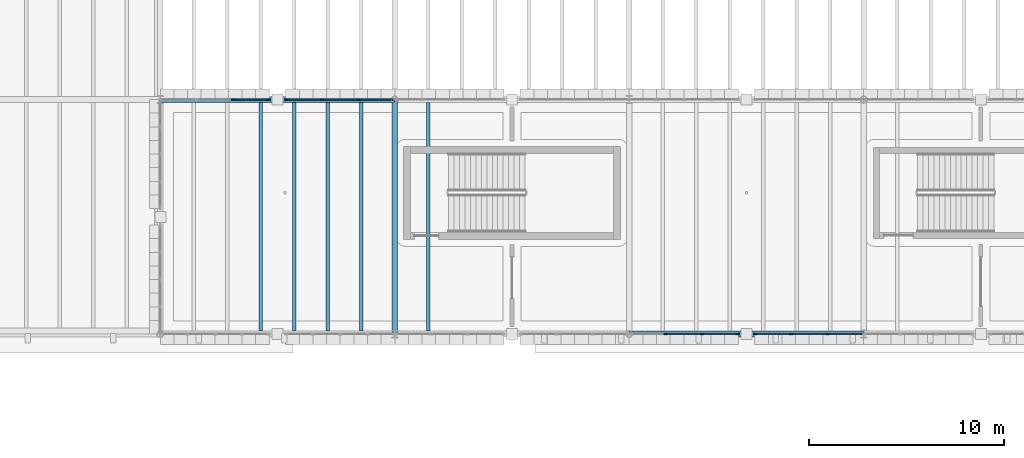
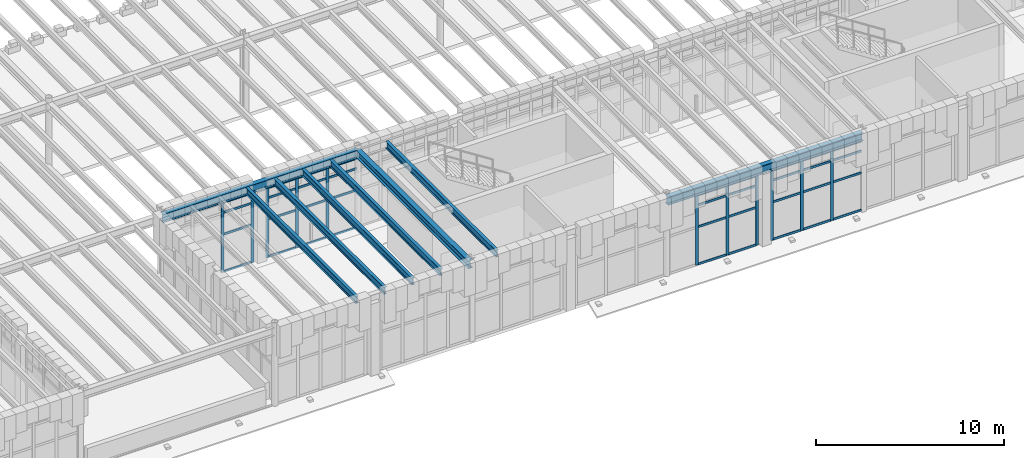
# One storey, part 30 of 100: 47 members, 8 beams, 4 elements without a shape of their own.
"""IFC4 building model written with IfcOpenShell, lengths in metres."""

from ifc_helpers import new_model, si_unit, direction, frame, origin, origin_2d, place, context, subcontext, project, spatial, rectangle, i_section, extrude, material, layer, layer_set, material_profile, profile_set, type_object, element, aggregate, save


model = new_model("IFC4")

# Units and contexts
model_context = context("Model", 3, precision=1e-05, world=origin(), true_north=direction((0.0, 1.0)))
body_context = subcontext(model_context, "Body", "Model", "MODEL_VIEW")
ifc_project = project(units=[si_unit("LENGTHUNIT", "METRE"), si_unit("AREAUNIT", "SQUARE_METRE"), si_unit("VOLUMEUNIT", "CUBIC_METRE"), si_unit("PLANEANGLEUNIT", "RADIAN"), si_unit("MASSUNIT", "GRAM", prefix="KILO")], contexts=[model_context])

# Site, building, storey
site_placement = place(None, origin())
site = spatial("IfcSite", under=ifc_project, at=site_placement, CompositionType="ELEMENT")
building_placement = place(site_placement, origin())
building = spatial("IfcBuilding", under=site, at=building_placement, Name="Zlatogorsky Bluff Art Gallery", CompositionType="ELEMENT")
storey_placement = place(building_placement, frame((0.0, 0.0, 5.39990234375)))
storey = spatial("IfcBuildingStorey", under=building, at=storey_placement, Name="L01", CompositionType="ELEMENT", Elevation=5.39990234375)

# Beams
ifc_material_1 = material(Name="Steel S355", Category="steel")
ifc_material_profile_1 = material_profile(ifc_material_1, i_section(OverallWidth=0.300048828125, OverallDepth=0.5400390625, WebThickness=0.012451171875, FlangeThickness=0.02392578125, FilletRadius=0.027099609375, at=origin_2d()), Name="HEA 550")
ifc_profile_set_1 = profile_set([ifc_material_profile_1], Name="Steel S355")
beam_type_1 = type_object("IfcBeamType", Name="Beam BM-06 HEA 550", PredefinedType="BEAM", material=ifc_profile_set_1)
for number, where, z_axis, x_axis, name in (
    (1, (60.014892578125, 96.0, 4.840087890625), (1.0, 0.0, 0.0), (0.0, 1.0, 0.0), "Primary girder BM-06 L01 F-G/10"),
    (2, (84.014892578125, 84.0, 4.840087890625), (1.0, 0.0, 0.0), (0.0, 1.0, 0.0), "Primary girder BM-06 L01 H-J/9"),
):
    element("IfcBeam", number, at=place(storey_placement, frame(where, z_axis=z_axis, x_axis=x_axis)), inside=storey, type_object=beam_type_1, Name=name, PredefinedType="BEAM", context=body_context, shape_type="SweptSolid", body=[
        extrude(i_section(OverallWidth=0.300048828125, OverallDepth=0.5400390625, WebThickness=0.012451171875, FlangeThickness=0.02392578125, FilletRadius=0.027099609375, at=origin_2d()), origin(), (0.0, 0.0, 1.0), 11.97021484375),
    ])
ifc_material_profile_2 = material_profile(ifc_material_1, i_section(OverallWidth=0.300048828125, OverallDepth=0.489990234375, WebThickness=0.011962890625, FlangeThickness=0.02294921875, FilletRadius=0.027099609375, at=origin_2d()), Name="HEA 500")
ifc_profile_set_2 = profile_set([ifc_material_profile_2], Name="Steel S355")
beam_type_2 = type_object("IfcBeamType", Name="Beam BM-07 HEA 500", PredefinedType="BEAM", material=ifc_profile_set_2)
beam_placement = place(storey_placement, frame((72.0, 84.014892578125, 4.864990234375), z_axis=(0.0, 1.0, 0.0), x_axis=(-1.0, 0.0, 0.0)))
element("IfcBeam", 3, at=beam_placement, inside=storey, type_object=beam_type_2, Name="Primary girder BM-07 L01 G/9-10", PredefinedType="BEAM", context=body_context, shape_type="SweptSolid", body=[
    extrude(i_section(OverallWidth=0.300048828125, OverallDepth=0.489990234375, WebThickness=0.011962890625, FlangeThickness=0.02294921875, FilletRadius=0.027099609375, at=origin_2d()), origin(), (0.0, 0.0, 1.0), 11.97021484375),
])
ifc_material_profile_3 = material_profile(ifc_material_1, i_section(OverallWidth=0.18994140625, OverallDepth=0.449951171875, WebThickness=0.009521484375, FlangeThickness=0.0146484375, FilletRadius=0.02099609375, at=origin_2d()), Name="IPE 450")
ifc_profile_set_3 = profile_set([ifc_material_profile_3], Name="Steel S355")
beam_type_3 = type_object("IfcBeamType", Name="Beam JS-06 IPE 450", PredefinedType="JOIST", material=ifc_profile_set_3)
for number, where, z_axis, x_axis, name in (
    (4, (65.142822265625, 84.14990234375, 4.885009765625), (0.0, 1.0, 0.0), (-1.0, 0.0, 0.0), "Composite floor joist JS-06 L01 05.08.3"),
    (5, (66.857177734375, 84.14990234375, 4.885009765625), (0.0, 1.0, 0.0), (-1.0, 0.0, 0.0), "Composite floor joist JS-06 L01 05.08.4"),
    (6, (68.571533203125, 84.14990234375, 4.885009765625), (0.0, 1.0, 0.0), (-1.0, 0.0, 0.0), "Composite floor joist JS-06 L01 05.08.5"),
    (7, (70.28564453125, 84.14990234375, 4.885009765625), (0.0, 1.0, 0.0), (-1.0, 0.0, 0.0), "Composite floor joist JS-06 L01 05.08.6"),
    (8, (73.71435546875, 84.14990234375, 4.885009765625), (0.0, 1.0, 0.0), (-1.0, 0.0, 0.0), "Composite floor joist JS-06 L01 06.08.1"),
):
    element("IfcBeam", number, at=place(storey_placement, frame(where, z_axis=z_axis, x_axis=x_axis)), inside=storey, type_object=beam_type_3, Name=name, PredefinedType="JOIST", context=body_context, shape_type="SweptSolid", body=[
        extrude(i_section(OverallWidth=0.18994140625, OverallDepth=0.449951171875, WebThickness=0.009521484375, FlangeThickness=0.0146484375, FilletRadius=0.02099609375, at=origin_2d()), origin(), (0.0, 0.0, 1.0), 11.7001953125),
    ])

# Curtain wall, members
ifc_material_2 = material(Name="Anodised Bronze Aluminium and Low-Iron Triple Glazing", Category="aluminium")
ifc_layer = layer(ifc_material_2, 0.219970703125)
ifc_layer_set = layer_set([ifc_layer], Name="Curtain Wall CW-04")
curtain_wall_type = type_object("IfcCurtainWallType", Name="Curtain Wall CW-04", PredefinedType="USERDEFINED", material=ifc_layer_set)
curtain_wall_1_placement = place(storey_placement, origin())
curtain_wall_1 = element("IfcCurtainWall", 9, at=curtain_wall_1_placement, inside=storey, type_object=curtain_wall_type, Name="Unitised curtain wall CW-04 L01 N 5.8-A", ObjectType="CURTAIN WALL", PredefinedType="USERDEFINED")
ifc_material_3 = material(Name="Anodised Bronze Aluminium", Category="aluminium")
ifc_material_profile_4 = material_profile(ifc_material_3, rectangle(XDim=0.06494140625, YDim=0.179931640625, at=origin_2d()), Name="ALU MULLION 65x180")
ifc_profile_set_4 = profile_set([ifc_material_profile_4], Name="Anodised Bronze Aluminium")
member_type_1 = type_object("IfcMemberType", Name="Curtain Mullion ML-01", PredefinedType="MULLION", material=ifc_profile_set_4)
member_1_placement = place(storey_placement, frame((70.139892578125, 96.0, 0.0), z_axis=(0.0, 0.0, 1.0), x_axis=(0.0, -1.0, 0.0)))
member_1 = element("IfcMember", 10, at=member_1_placement, type_object=member_type_1, Name="CW-04 mullion 2", PredefinedType="MULLION", context=body_context, shape_type="SweptSolid", body=[
    extrude(rectangle(XDim=0.06494140625, YDim=0.179931640625, at=origin_2d()), origin(), (0.0, 0.0, 1.0), 4.530029296875),
])
member_2_placement = place(storey_placement, frame((68.280029296875, 96.0, 0.0), z_axis=(0.0, 0.0, 1.0), x_axis=(0.0, -1.0, 0.0)))
member_2 = element("IfcMember", 11, at=member_2_placement, type_object=member_type_1, Name="CW-04 mullion 3", PredefinedType="MULLION", context=body_context, shape_type="SweptSolid", body=[
    extrude(rectangle(XDim=0.06494140625, YDim=0.179931640625, at=origin_2d()), origin(), (0.0, 0.0, 1.0), 4.530029296875),
])
member_3_placement = place(storey_placement, frame((66.452392578125, 96.0, 0.0), z_axis=(0.0, 0.0, 1.0), x_axis=(0.0, -1.0, 0.0)))
member_3 = element("IfcMember", 12, at=member_3_placement, type_object=member_type_1, Name="CW-04 mullion 4", PredefinedType="MULLION", context=body_context, shape_type="SweptSolid", body=[
    extrude(rectangle(XDim=0.06494140625, YDim=0.179931640625, at=origin_2d()), origin(), (0.0, 0.0, 1.0), 4.530029296875),
])

curtain_wall_2_placement = place(storey_placement, origin())
curtain_wall_2 = element("IfcCurtainWall", 13, at=curtain_wall_2_placement, inside=storey, type_object=curtain_wall_type, Name="Unitised curtain wall CW-04 L01 N 5.8-B", ObjectType="CURTAIN WALL", PredefinedType="USERDEFINED")
member_4_placement = place(storey_placement, frame((65.547607421875, 96.0, 0.0), z_axis=(0.0, 0.0, 1.0), x_axis=(0.0, -1.0, 0.0)))
member_4 = element("IfcMember", 14, at=member_4_placement, type_object=member_type_1, Name="CW-04 mullion 1", PredefinedType="MULLION", context=body_context, shape_type="SweptSolid", body=[
    extrude(rectangle(XDim=0.06494140625, YDim=0.179931640625, at=origin_2d()), origin(), (0.0, 0.0, 1.0), 4.530029296875),
])
member_5_placement = place(storey_placement, frame((63.719970703125, 96.0, 0.0), z_axis=(0.0, 0.0, 1.0), x_axis=(0.0, -1.0, 0.0)))
member_5 = element("IfcMember", 15, at=member_5_placement, type_object=member_type_1, Name="CW-04 mullion 2", PredefinedType="MULLION", context=body_context, shape_type="SweptSolid", body=[
    extrude(rectangle(XDim=0.06494140625, YDim=0.179931640625, at=origin_2d()), origin(), (0.0, 0.0, 1.0), 4.530029296875),
])

curtain_wall_3_placement = place(storey_placement, origin())
curtain_wall_3 = element("IfcCurtainWall", 16, at=curtain_wall_3_placement, inside=storey, type_object=curtain_wall_type, Name="Unitised curtain wall CW-04 L01 S 7.8-A", ObjectType="CURTAIN WALL", PredefinedType="USERDEFINED")
member_6_placement = place(storey_placement, frame((85.860107421875, 84.0, 0.0), z_axis=(0.0, 0.0, 1.0), x_axis=(0.0, 1.0, 0.0)))
member_6 = element("IfcMember", 17, at=member_6_placement, type_object=member_type_1, Name="CW-04 mullion 2", PredefinedType="MULLION", context=body_context, shape_type="SweptSolid", body=[
    extrude(rectangle(XDim=0.06494140625, YDim=0.179931640625, at=origin_2d()), origin(), (0.0, 0.0, 1.0), 4.530029296875),
])
member_7_placement = place(storey_placement, frame((87.719970703125, 84.0, 0.0), z_axis=(0.0, 0.0, 1.0), x_axis=(0.0, 1.0, 0.0)))
member_7 = element("IfcMember", 18, at=member_7_placement, type_object=member_type_1, Name="CW-04 mullion 3", PredefinedType="MULLION", context=body_context, shape_type="SweptSolid", body=[
    extrude(rectangle(XDim=0.06494140625, YDim=0.179931640625, at=origin_2d()), origin(), (0.0, 0.0, 1.0), 4.530029296875),
])
member_8_placement = place(storey_placement, frame((89.547607421875, 84.0, 0.0), z_axis=(0.0, 0.0, 1.0), x_axis=(0.0, 1.0, 0.0)))
member_8 = element("IfcMember", 19, at=member_8_placement, type_object=member_type_1, Name="CW-04 mullion 4", PredefinedType="MULLION", context=body_context, shape_type="SweptSolid", body=[
    extrude(rectangle(XDim=0.06494140625, YDim=0.179931640625, at=origin_2d()), origin(), (0.0, 0.0, 1.0), 4.530029296875),
])

curtain_wall_4_placement = place(storey_placement, origin())
curtain_wall_4 = element("IfcCurtainWall", 20, at=curtain_wall_4_placement, inside=storey, type_object=curtain_wall_type, Name="Unitised curtain wall CW-04 L01 S 7.8-B", ObjectType="CURTAIN WALL", PredefinedType="USERDEFINED")
member_9_placement = place(storey_placement, frame((90.452392578125, 84.0, 0.0), z_axis=(0.0, 0.0, 1.0), x_axis=(0.0, 1.0, 0.0)))
member_9 = element("IfcMember", 21, at=member_9_placement, type_object=member_type_1, Name="CW-04 mullion 1", PredefinedType="MULLION", context=body_context, shape_type="SweptSolid", body=[
    extrude(rectangle(XDim=0.06494140625, YDim=0.179931640625, at=origin_2d()), origin(), (0.0, 0.0, 1.0), 4.530029296875),
])
member_10_placement = place(storey_placement, frame((92.280029296875, 84.0, 0.0), z_axis=(0.0, 0.0, 1.0), x_axis=(0.0, 1.0, 0.0)))
member_10 = element("IfcMember", 22, at=member_10_placement, type_object=member_type_1, Name="CW-04 mullion 2", PredefinedType="MULLION", context=body_context, shape_type="SweptSolid", body=[
    extrude(rectangle(XDim=0.06494140625, YDim=0.179931640625, at=origin_2d()), origin(), (0.0, 0.0, 1.0), 4.530029296875),
])
member_11_placement = place(storey_placement, frame((94.139892578125, 84.0, 0.0), z_axis=(0.0, 0.0, 1.0), x_axis=(0.0, 1.0, 0.0)))
member_11 = element("IfcMember", 23, at=member_11_placement, type_object=member_type_1, Name="CW-04 mullion 3", PredefinedType="MULLION", context=body_context, shape_type="SweptSolid", body=[
    extrude(rectangle(XDim=0.06494140625, YDim=0.179931640625, at=origin_2d()), origin(), (0.0, 0.0, 1.0), 4.530029296875),
])

# Member
ifc_material_profile_5 = material_profile(ifc_material_3, rectangle(XDim=0.06494140625, YDim=0.139892578125, at=origin_2d()), Name="ALU TRANSOM 65x140")
ifc_profile_set_5 = profile_set([ifc_material_profile_5], Name="Anodised Bronze Aluminium")
member_type_2 = type_object("IfcMemberType", Name="Curtain Transom TR-01", PredefinedType="USERDEFINED", material=ifc_profile_set_5)
member_12_placement = place(storey_placement, frame((71.93505859375, 96.0, 0.03271484375), z_axis=(-1.0, 0.0, 0.0), x_axis=(0.0, -1.0, 0.0)))
member_12 = element("IfcMember", 24, at=member_12_placement, type_object=member_type_2, Name="CW-04 transom 1.1", ObjectType="TRANSOM", PredefinedType="USERDEFINED", context=body_context, shape_type="SweptSolid", body=[
    extrude(rectangle(XDim=0.06494140625, YDim=0.139892578125, at=origin_2d()), origin(), (0.0, 0.0, 1.0), 1.762451171875),
])

member_13_placement = place(storey_placement, frame((71.93505859375, 96.0, 2.4501953125), z_axis=(-1.0, 0.0, 0.0), x_axis=(0.0, -1.0, 0.0)))
member_13 = element("IfcMember", 25, at=member_13_placement, type_object=member_type_2, Name="CW-04 transom 1.2", ObjectType="TRANSOM", PredefinedType="USERDEFINED", context=body_context, shape_type="SweptSolid", body=[
    extrude(rectangle(XDim=0.06494140625, YDim=0.139892578125, at=origin_2d()), origin(), (0.0, 0.0, 1.0), 1.762451171875),
])

member_14_placement = place(storey_placement, frame((71.93505859375, 96.0, 3.85009765625), z_axis=(-1.0, 0.0, 0.0), x_axis=(0.0, -1.0, 0.0)))
member_14 = element("IfcMember", 26, at=member_14_placement, type_object=member_type_2, Name="CW-04 transom 1.3", ObjectType="TRANSOM", PredefinedType="USERDEFINED", context=body_context, shape_type="SweptSolid", body=[
    extrude(rectangle(XDim=0.06494140625, YDim=0.139892578125, at=origin_2d()), origin(), (0.0, 0.0, 1.0), 1.762451171875),
])

member_15_placement = place(storey_placement, frame((71.93505859375, 96.0, 4.49755859375), z_axis=(-1.0, 0.0, 0.0), x_axis=(0.0, -1.0, 0.0)))
member_15 = element("IfcMember", 27, at=member_15_placement, type_object=member_type_2, Name="CW-04 transom 1.4", ObjectType="TRANSOM", PredefinedType="USERDEFINED", context=body_context, shape_type="SweptSolid", body=[
    extrude(rectangle(XDim=0.06494140625, YDim=0.139892578125, at=origin_2d()), origin(), (0.0, 0.0, 1.0), 1.762451171875),
])

member_16_placement = place(storey_placement, frame((70.107421875, 96.0, 0.03271484375), z_axis=(-1.0, 0.0, 0.0), x_axis=(0.0, -1.0, 0.0)))
member_16 = element("IfcMember", 28, at=member_16_placement, type_object=member_type_2, Name="CW-04 transom 2.1", ObjectType="TRANSOM", PredefinedType="USERDEFINED", context=body_context, shape_type="SweptSolid", body=[
    extrude(rectangle(XDim=0.06494140625, YDim=0.139892578125, at=origin_2d()), origin(), (0.0, 0.0, 1.0), 1.794921875),
])

member_17_placement = place(storey_placement, frame((70.107421875, 96.0, 2.4501953125), z_axis=(-1.0, 0.0, 0.0), x_axis=(0.0, -1.0, 0.0)))
member_17 = element("IfcMember", 29, at=member_17_placement, type_object=member_type_2, Name="CW-04 transom 2.2", ObjectType="TRANSOM", PredefinedType="USERDEFINED", context=body_context, shape_type="SweptSolid", body=[
    extrude(rectangle(XDim=0.06494140625, YDim=0.139892578125, at=origin_2d()), origin(), (0.0, 0.0, 1.0), 1.794921875),
])

member_18_placement = place(storey_placement, frame((70.107421875, 96.0, 3.85009765625), z_axis=(-1.0, 0.0, 0.0), x_axis=(0.0, -1.0, 0.0)))
member_18 = element("IfcMember", 30, at=member_18_placement, type_object=member_type_2, Name="CW-04 transom 2.3", ObjectType="TRANSOM", PredefinedType="USERDEFINED", context=body_context, shape_type="SweptSolid", body=[
    extrude(rectangle(XDim=0.06494140625, YDim=0.139892578125, at=origin_2d()), origin(), (0.0, 0.0, 1.0), 1.794921875),
])

member_19_placement = place(storey_placement, frame((70.107421875, 96.0, 4.49755859375), z_axis=(-1.0, 0.0, 0.0), x_axis=(0.0, -1.0, 0.0)))
member_19 = element("IfcMember", 31, at=member_19_placement, type_object=member_type_2, Name="CW-04 transom 2.4", ObjectType="TRANSOM", PredefinedType="USERDEFINED", context=body_context, shape_type="SweptSolid", body=[
    extrude(rectangle(XDim=0.06494140625, YDim=0.139892578125, at=origin_2d()), origin(), (0.0, 0.0, 1.0), 1.794921875),
])

member_20_placement = place(storey_placement, frame((68.24755859375, 96.0, 0.03271484375), z_axis=(-1.0, 0.0, 0.0), x_axis=(0.0, -1.0, 0.0)))
member_20 = element("IfcMember", 32, at=member_20_placement, type_object=member_type_2, Name="CW-04 transom 3.1", ObjectType="TRANSOM", PredefinedType="USERDEFINED", context=body_context, shape_type="SweptSolid", body=[
    extrude(rectangle(XDim=0.06494140625, YDim=0.139892578125, at=origin_2d()), origin(), (0.0, 0.0, 1.0), 1.762451171875),
])

member_21_placement = place(storey_placement, frame((68.24755859375, 96.0, 2.4501953125), z_axis=(-1.0, 0.0, 0.0), x_axis=(0.0, -1.0, 0.0)))
member_21 = element("IfcMember", 33, at=member_21_placement, type_object=member_type_2, Name="CW-04 transom 3.2", ObjectType="TRANSOM", PredefinedType="USERDEFINED", context=body_context, shape_type="SweptSolid", body=[
    extrude(rectangle(XDim=0.06494140625, YDim=0.139892578125, at=origin_2d()), origin(), (0.0, 0.0, 1.0), 1.762451171875),
])

member_22_placement = place(storey_placement, frame((68.24755859375, 96.0, 3.85009765625), z_axis=(-1.0, 0.0, 0.0), x_axis=(0.0, -1.0, 0.0)))
member_22 = element("IfcMember", 34, at=member_22_placement, type_object=member_type_2, Name="CW-04 transom 3.3", ObjectType="TRANSOM", PredefinedType="USERDEFINED", context=body_context, shape_type="SweptSolid", body=[
    extrude(rectangle(XDim=0.06494140625, YDim=0.139892578125, at=origin_2d()), origin(), (0.0, 0.0, 1.0), 1.762451171875),
])

member_23_placement = place(storey_placement, frame((68.24755859375, 96.0, 4.49755859375), z_axis=(-1.0, 0.0, 0.0), x_axis=(0.0, -1.0, 0.0)))
member_23 = element("IfcMember", 35, at=member_23_placement, type_object=member_type_2, Name="CW-04 transom 3.4", ObjectType="TRANSOM", PredefinedType="USERDEFINED", context=body_context, shape_type="SweptSolid", body=[
    extrude(rectangle(XDim=0.06494140625, YDim=0.139892578125, at=origin_2d()), origin(), (0.0, 0.0, 1.0), 1.762451171875),
])

aggregate(curtain_wall_1, [member_1, member_2, member_3, member_12, member_13, member_14, member_15, member_16, member_17, member_18, member_19, member_20, member_21, member_22, member_23])

member_24_placement = place(storey_placement, frame((65.514892578125, 96.0, 0.03271484375), z_axis=(-1.0, 0.0, 0.0), x_axis=(0.0, -1.0, 0.0)))
member_24 = element("IfcMember", 36, at=member_24_placement, type_object=member_type_2, Name="CW-04 transom 1.1", ObjectType="TRANSOM", PredefinedType="USERDEFINED", context=body_context, shape_type="SweptSolid", body=[
    extrude(rectangle(XDim=0.06494140625, YDim=0.139892578125, at=origin_2d()), origin(), (0.0, 0.0, 1.0), 1.762451171875),
])

member_25_placement = place(storey_placement, frame((65.514892578125, 96.0, 2.4501953125), z_axis=(-1.0, 0.0, 0.0), x_axis=(0.0, -1.0, 0.0)))
member_25 = element("IfcMember", 37, at=member_25_placement, type_object=member_type_2, Name="CW-04 transom 1.2", ObjectType="TRANSOM", PredefinedType="USERDEFINED", context=body_context, shape_type="SweptSolid", body=[
    extrude(rectangle(XDim=0.06494140625, YDim=0.139892578125, at=origin_2d()), origin(), (0.0, 0.0, 1.0), 1.762451171875),
])

member_26_placement = place(storey_placement, frame((65.514892578125, 96.0, 3.85009765625), z_axis=(-1.0, 0.0, 0.0), x_axis=(0.0, -1.0, 0.0)))
member_26 = element("IfcMember", 38, at=member_26_placement, type_object=member_type_2, Name="CW-04 transom 1.3", ObjectType="TRANSOM", PredefinedType="USERDEFINED", context=body_context, shape_type="SweptSolid", body=[
    extrude(rectangle(XDim=0.06494140625, YDim=0.139892578125, at=origin_2d()), origin(), (0.0, 0.0, 1.0), 1.762451171875),
])

member_27_placement = place(storey_placement, frame((65.514892578125, 96.0, 4.49755859375), z_axis=(-1.0, 0.0, 0.0), x_axis=(0.0, -1.0, 0.0)))
member_27 = element("IfcMember", 39, at=member_27_placement, type_object=member_type_2, Name="CW-04 transom 1.4", ObjectType="TRANSOM", PredefinedType="USERDEFINED", context=body_context, shape_type="SweptSolid", body=[
    extrude(rectangle(XDim=0.06494140625, YDim=0.139892578125, at=origin_2d()), origin(), (0.0, 0.0, 1.0), 1.762451171875),
])

aggregate(curtain_wall_2, [member_4, member_5, member_24, member_25, member_26, member_27])

member_28_placement = place(storey_placement, frame((85.892578125, 84.0, 0.03271484375), z_axis=(1.0, 0.0, 0.0), x_axis=(0.0, 1.0, 0.0)))
member_28 = element("IfcMember", 40, at=member_28_placement, type_object=member_type_2, Name="CW-04 transom 2.1", ObjectType="TRANSOM", PredefinedType="USERDEFINED", context=body_context, shape_type="SweptSolid", body=[
    extrude(rectangle(XDim=0.06494140625, YDim=0.139892578125, at=origin_2d()), origin(), (0.0, 0.0, 1.0), 1.794921875),
])

member_29_placement = place(storey_placement, frame((85.892578125, 84.0, 2.4501953125), z_axis=(1.0, 0.0, 0.0), x_axis=(0.0, 1.0, 0.0)))
member_29 = element("IfcMember", 41, at=member_29_placement, type_object=member_type_2, Name="CW-04 transom 2.2", ObjectType="TRANSOM", PredefinedType="USERDEFINED", context=body_context, shape_type="SweptSolid", body=[
    extrude(rectangle(XDim=0.06494140625, YDim=0.139892578125, at=origin_2d()), origin(), (0.0, 0.0, 1.0), 1.794921875),
])

member_30_placement = place(storey_placement, frame((85.892578125, 84.0, 3.85009765625), z_axis=(1.0, 0.0, 0.0), x_axis=(0.0, 1.0, 0.0)))
member_30 = element("IfcMember", 42, at=member_30_placement, type_object=member_type_2, Name="CW-04 transom 2.3", ObjectType="TRANSOM", PredefinedType="USERDEFINED", context=body_context, shape_type="SweptSolid", body=[
    extrude(rectangle(XDim=0.06494140625, YDim=0.139892578125, at=origin_2d()), origin(), (0.0, 0.0, 1.0), 1.794921875),
])

member_31_placement = place(storey_placement, frame((85.892578125, 84.0, 4.49755859375), z_axis=(1.0, 0.0, 0.0), x_axis=(0.0, 1.0, 0.0)))
member_31 = element("IfcMember", 43, at=member_31_placement, type_object=member_type_2, Name="CW-04 transom 2.4", ObjectType="TRANSOM", PredefinedType="USERDEFINED", context=body_context, shape_type="SweptSolid", body=[
    extrude(rectangle(XDim=0.06494140625, YDim=0.139892578125, at=origin_2d()), origin(), (0.0, 0.0, 1.0), 1.794921875),
])

member_32_placement = place(storey_placement, frame((87.75244140625, 84.0, 0.03271484375), z_axis=(1.0, 0.0, 0.0), x_axis=(0.0, 1.0, 0.0)))
member_32 = element("IfcMember", 44, at=member_32_placement, type_object=member_type_2, Name="CW-04 transom 3.1", ObjectType="TRANSOM", PredefinedType="USERDEFINED", context=body_context, shape_type="SweptSolid", body=[
    extrude(rectangle(XDim=0.06494140625, YDim=0.139892578125, at=origin_2d()), origin(), (0.0, 0.0, 1.0), 1.762451171875),
])

member_33_placement = place(storey_placement, frame((87.75244140625, 84.0, 2.4501953125), z_axis=(1.0, 0.0, 0.0), x_axis=(0.0, 1.0, 0.0)))
member_33 = element("IfcMember", 45, at=member_33_placement, type_object=member_type_2, Name="CW-04 transom 3.2", ObjectType="TRANSOM", PredefinedType="USERDEFINED", context=body_context, shape_type="SweptSolid", body=[
    extrude(rectangle(XDim=0.06494140625, YDim=0.139892578125, at=origin_2d()), origin(), (0.0, 0.0, 1.0), 1.762451171875),
])

member_34_placement = place(storey_placement, frame((87.75244140625, 84.0, 3.85009765625), z_axis=(1.0, 0.0, 0.0), x_axis=(0.0, 1.0, 0.0)))
member_34 = element("IfcMember", 46, at=member_34_placement, type_object=member_type_2, Name="CW-04 transom 3.3", ObjectType="TRANSOM", PredefinedType="USERDEFINED", context=body_context, shape_type="SweptSolid", body=[
    extrude(rectangle(XDim=0.06494140625, YDim=0.139892578125, at=origin_2d()), origin(), (0.0, 0.0, 1.0), 1.762451171875),
])

member_35_placement = place(storey_placement, frame((87.75244140625, 84.0, 4.49755859375), z_axis=(1.0, 0.0, 0.0), x_axis=(0.0, 1.0, 0.0)))
member_35 = element("IfcMember", 47, at=member_35_placement, type_object=member_type_2, Name="CW-04 transom 3.4", ObjectType="TRANSOM", PredefinedType="USERDEFINED", context=body_context, shape_type="SweptSolid", body=[
    extrude(rectangle(XDim=0.06494140625, YDim=0.139892578125, at=origin_2d()), origin(), (0.0, 0.0, 1.0), 1.762451171875),
])

aggregate(curtain_wall_3, [member_6, member_7, member_8, member_28, member_29, member_30, member_31, member_32, member_33, member_34, member_35])

member_36_placement = place(storey_placement, frame((90.485107421875, 84.0, 0.03271484375), z_axis=(1.0, 0.0, 0.0), x_axis=(0.0, 1.0, 0.0)))
member_36 = element("IfcMember", 48, at=member_36_placement, type_object=member_type_2, Name="CW-04 transom 1.1", ObjectType="TRANSOM", PredefinedType="USERDEFINED", context=body_context, shape_type="SweptSolid", body=[
    extrude(rectangle(XDim=0.06494140625, YDim=0.139892578125, at=origin_2d()), origin(), (0.0, 0.0, 1.0), 1.762451171875),
])

member_37_placement = place(storey_placement, frame((90.485107421875, 84.0, 2.4501953125), z_axis=(1.0, 0.0, 0.0), x_axis=(0.0, 1.0, 0.0)))
member_37 = element("IfcMember", 49, at=member_37_placement, type_object=member_type_2, Name="CW-04 transom 1.2", ObjectType="TRANSOM", PredefinedType="USERDEFINED", context=body_context, shape_type="SweptSolid", body=[
    extrude(rectangle(XDim=0.06494140625, YDim=0.139892578125, at=origin_2d()), origin(), (0.0, 0.0, 1.0), 1.762451171875),
])

member_38_placement = place(storey_placement, frame((90.485107421875, 84.0, 3.85009765625), z_axis=(1.0, 0.0, 0.0), x_axis=(0.0, 1.0, 0.0)))
member_38 = element("IfcMember", 50, at=member_38_placement, type_object=member_type_2, Name="CW-04 transom 1.3", ObjectType="TRANSOM", PredefinedType="USERDEFINED", context=body_context, shape_type="SweptSolid", body=[
    extrude(rectangle(XDim=0.06494140625, YDim=0.139892578125, at=origin_2d()), origin(), (0.0, 0.0, 1.0), 1.762451171875),
])

member_39_placement = place(storey_placement, frame((90.485107421875, 84.0, 4.49755859375), z_axis=(1.0, 0.0, 0.0), x_axis=(0.0, 1.0, 0.0)))
member_39 = element("IfcMember", 51, at=member_39_placement, type_object=member_type_2, Name="CW-04 transom 1.4", ObjectType="TRANSOM", PredefinedType="USERDEFINED", context=body_context, shape_type="SweptSolid", body=[
    extrude(rectangle(XDim=0.06494140625, YDim=0.139892578125, at=origin_2d()), origin(), (0.0, 0.0, 1.0), 1.762451171875),
])

member_40_placement = place(storey_placement, frame((92.3125, 84.0, 0.03271484375), z_axis=(1.0, 0.0, 0.0), x_axis=(0.0, 1.0, 0.0)))
member_40 = element("IfcMember", 52, at=member_40_placement, type_object=member_type_2, Name="CW-04 transom 2.1", ObjectType="TRANSOM", PredefinedType="USERDEFINED", context=body_context, shape_type="SweptSolid", body=[
    extrude(rectangle(XDim=0.06494140625, YDim=0.139892578125, at=origin_2d()), origin(), (0.0, 0.0, 1.0), 1.794921875),
])

member_41_placement = place(storey_placement, frame((92.3125, 84.0, 2.4501953125), z_axis=(1.0, 0.0, 0.0), x_axis=(0.0, 1.0, 0.0)))
member_41 = element("IfcMember", 53, at=member_41_placement, type_object=member_type_2, Name="CW-04 transom 2.2", ObjectType="TRANSOM", PredefinedType="USERDEFINED", context=body_context, shape_type="SweptSolid", body=[
    extrude(rectangle(XDim=0.06494140625, YDim=0.139892578125, at=origin_2d()), origin(), (0.0, 0.0, 1.0), 1.794921875),
])

member_42_placement = place(storey_placement, frame((92.3125, 84.0, 3.85009765625), z_axis=(1.0, 0.0, 0.0), x_axis=(0.0, 1.0, 0.0)))
member_42 = element("IfcMember", 54, at=member_42_placement, type_object=member_type_2, Name="CW-04 transom 2.3", ObjectType="TRANSOM", PredefinedType="USERDEFINED", context=body_context, shape_type="SweptSolid", body=[
    extrude(rectangle(XDim=0.06494140625, YDim=0.139892578125, at=origin_2d()), origin(), (0.0, 0.0, 1.0), 1.794921875),
])

member_43_placement = place(storey_placement, frame((92.3125, 84.0, 4.49755859375), z_axis=(1.0, 0.0, 0.0), x_axis=(0.0, 1.0, 0.0)))
member_43 = element("IfcMember", 55, at=member_43_placement, type_object=member_type_2, Name="CW-04 transom 2.4", ObjectType="TRANSOM", PredefinedType="USERDEFINED", context=body_context, shape_type="SweptSolid", body=[
    extrude(rectangle(XDim=0.06494140625, YDim=0.139892578125, at=origin_2d()), origin(), (0.0, 0.0, 1.0), 1.794921875),
])

member_44_placement = place(storey_placement, frame((94.172607421875, 84.0, 0.03271484375), z_axis=(1.0, 0.0, 0.0), x_axis=(0.0, 1.0, 0.0)))
member_44 = element("IfcMember", 56, at=member_44_placement, type_object=member_type_2, Name="CW-04 transom 3.1", ObjectType="TRANSOM", PredefinedType="USERDEFINED", context=body_context, shape_type="SweptSolid", body=[
    extrude(rectangle(XDim=0.06494140625, YDim=0.139892578125, at=origin_2d()), origin(), (0.0, 0.0, 1.0), 1.762451171875),
])

member_45_placement = place(storey_placement, frame((94.172607421875, 84.0, 2.4501953125), z_axis=(1.0, 0.0, 0.0), x_axis=(0.0, 1.0, 0.0)))
member_45 = element("IfcMember", 57, at=member_45_placement, type_object=member_type_2, Name="CW-04 transom 3.2", ObjectType="TRANSOM", PredefinedType="USERDEFINED", context=body_context, shape_type="SweptSolid", body=[
    extrude(rectangle(XDim=0.06494140625, YDim=0.139892578125, at=origin_2d()), origin(), (0.0, 0.0, 1.0), 1.762451171875),
])

member_46_placement = place(storey_placement, frame((94.172607421875, 84.0, 3.85009765625), z_axis=(1.0, 0.0, 0.0), x_axis=(0.0, 1.0, 0.0)))
member_46 = element("IfcMember", 58, at=member_46_placement, type_object=member_type_2, Name="CW-04 transom 3.3", ObjectType="TRANSOM", PredefinedType="USERDEFINED", context=body_context, shape_type="SweptSolid", body=[
    extrude(rectangle(XDim=0.06494140625, YDim=0.139892578125, at=origin_2d()), origin(), (0.0, 0.0, 1.0), 1.762451171875),
])

member_47_placement = place(storey_placement, frame((94.172607421875, 84.0, 4.49755859375), z_axis=(1.0, 0.0, 0.0), x_axis=(0.0, 1.0, 0.0)))
member_47 = element("IfcMember", 59, at=member_47_placement, type_object=member_type_2, Name="CW-04 transom 3.4", ObjectType="TRANSOM", PredefinedType="USERDEFINED", context=body_context, shape_type="SweptSolid", body=[
    extrude(rectangle(XDim=0.06494140625, YDim=0.139892578125, at=origin_2d()), origin(), (0.0, 0.0, 1.0), 1.762451171875),
])

aggregate(curtain_wall_4, [member_9, member_10, member_11, member_36, member_37, member_38, member_39, member_40, member_41, member_42, member_43, member_44, member_45, member_46, member_47])

save(model, "model.ifc")
